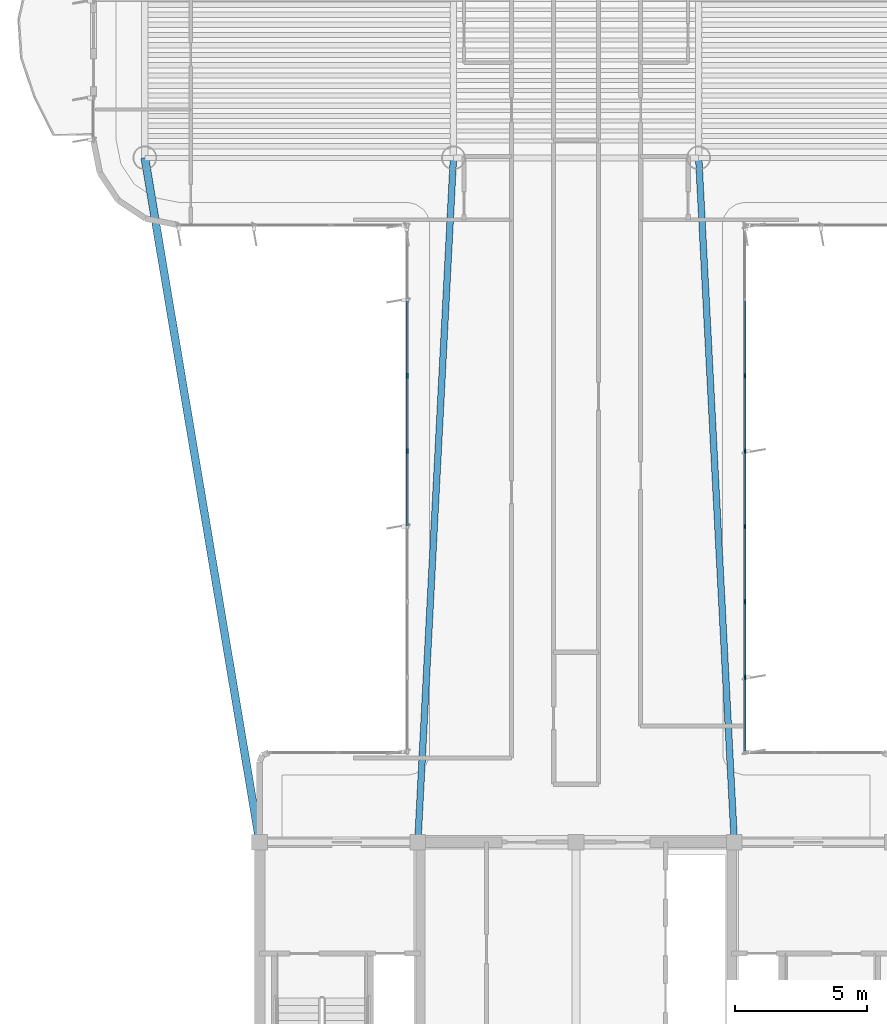
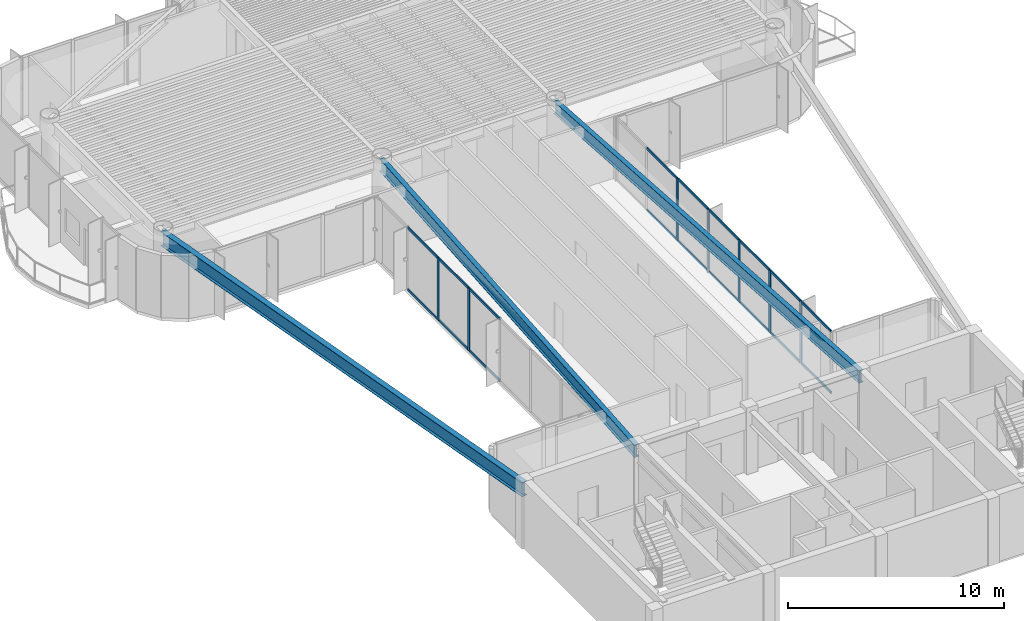
# One storey, part 3 of 16: 25 members, 3 beams, 2 elements without a shape of their own.
"""IFC4 building model written with IfcOpenShell, lengths in metres."""

from ifc_helpers import new_model, si_unit, direction, frame, origin, origin_2d, place, context, subcontext, project, spatial, rectangle, i_section, extrude, source, transform, mapped, material, layer, layer_set, material_profile, profile_set, type_object, element, aggregate, save


model = new_model("IFC4")

# Units and contexts
model_context = context("Model", 3, precision=1e-05, world=origin(), true_north=direction((0.0, 1.0)))
body_context = subcontext(model_context, "Body", "Model", "MODEL_VIEW")
ifc_project = project(units=[si_unit("LENGTHUNIT", "METRE"), si_unit("AREAUNIT", "SQUARE_METRE"), si_unit("VOLUMEUNIT", "CUBIC_METRE"), si_unit("PLANEANGLEUNIT", "RADIAN"), si_unit("MASSUNIT", "GRAM", prefix="KILO")], contexts=[model_context])

# Site, building, storey
site_placement = place(None, origin())
site = spatial("IfcSite", under=ifc_project, at=site_placement, CompositionType="ELEMENT")
building_placement = place(site_placement, origin())
building = spatial("IfcBuilding", under=site, at=building_placement, Name="Brelvock Crest Care Tower", CompositionType="ELEMENT")
storey_placement = place(building_placement, frame((0.0, 0.0, 226.800048828125)))
storey = spatial("IfcBuildingStorey", under=building, at=storey_placement, Name="L57", CompositionType="ELEMENT", Elevation=226.800048828125)

# Beams
ifc_material_1 = material(Name="Steel Grade 350", Category="steel")
ifc_material_profile_1 = material_profile(ifc_material_1, i_section(OverallWidth=0.25, OverallDepth=0.699951171875, WebThickness=0.011962890625, FlangeThickness=0.02001953125, at=origin_2d()), Name="700WB150")
ifc_profile_set_1 = profile_set([ifc_material_profile_1], Name="Steel Grade 350")
beam_type_1 = type_object("IfcBeamType", Name="BM-G4", PredefinedType="BEAM", material=ifc_profile_set_1)
shared_shape_1 = source(origin(), body_context, "Body", "SweptSolid", [
    extrude(i_section(OverallWidth=0.25, OverallDepth=0.699951171875, WebThickness=0.011962890625, FlangeThickness=0.02001953125, at=origin_2d()), origin(), (0.0, 0.0, 1.0), 25.985107421875),
])
for number, where, z_axis, x_axis, name in (
    (1, (30.0, 18.0, 3.179931640625), (0.051956711656, 0.998649337913, 0.0), (-0.998649337913, 0.051956711656, 0.0), "BM-THRW-L57"),
    (2, (42.0, 18.0, 3.179931640625), (-0.051956711656, 0.998649337913, 0.0), (-0.998649337913, -0.051956711656, 0.0), "BM-THRE-L57"),
):
    element("IfcBeam", number, at=place(storey_placement, frame(where, z_axis=z_axis, x_axis=x_axis)), inside=storey, type_object=beam_type_1, Name=name, PredefinedType="BEAM", context=body_context, shape_type="MappedRepresentation", body=[
        mapped(shared_shape_1, transform((0.0, 0.0, 0.0), x_axis=(1.0, 0.0, 0.0), y_axis=(0.0, 1.0, 0.0), z_axis=(0.0, 0.0, 1.0), scale=1.0)),
    ])
ifc_material_profile_2 = material_profile(ifc_material_1, i_section(OverallWidth=0.300048828125, OverallDepth=0.800048828125, WebThickness=0.013916015625, FlangeThickness=0.02197265625, at=origin_2d()), Name="800WB192")
ifc_profile_set_2 = profile_set([ifc_material_profile_2], Name="Steel Grade 350")
beam_type_2 = type_object("IfcBeamType", Name="BM-G5", PredefinedType="BEAM", material=ifc_profile_set_2)
shared_shape_2 = source(origin(), body_context, "Body", "SweptSolid", [
    extrude(i_section(OverallWidth=0.300048828125, OverallDepth=0.800048828125, WebThickness=0.013916015625, FlangeThickness=0.02197265625, at=origin_2d()), origin(), (0.0, 0.0, 1.0), 26.31201171875),
])
beam_placement = place(storey_placement, frame((24.0, 18.0, 3.1298828125), z_axis=(-0.165327282709, 0.986238758918, 0.0), x_axis=(-0.986238758918, -0.165327282709, 0.0)))
element("IfcBeam", 3, at=beam_placement, inside=storey, type_object=beam_type_2, Name="BM-THRO-W-L57", PredefinedType="BEAM", context=body_context, shape_type="MappedRepresentation", body=[
    mapped(shared_shape_2, transform((0.0, 0.0, 0.0), x_axis=(1.0, 0.0, 0.0), y_axis=(0.0, 1.0, 0.0), z_axis=(0.0, 0.0, 1.0), scale=1.0)),
])

# Curtain wall, members
ifc_material_2 = material(Name="Dark Glass Double Glazed Low-E", Category="glass")
ifc_layer = layer(ifc_material_2, 0.239990234375, Name="CWS-5")
ifc_layer_set = layer_set([ifc_layer], Name="Dark Glass Double Glazed Low-E")
curtain_wall_type = type_object("IfcCurtainWallType", Name="CWS-5", PredefinedType="NOTDEFINED", material=ifc_layer_set)
curtain_wall_1_placement = place(storey_placement, origin())
curtain_wall_1 = element("IfcCurtainWall", 4, at=curtain_wall_1_placement, inside=storey, type_object=curtain_wall_type, Name="L57 Curtain Wall E11", PredefinedType="NOTDEFINED")
ifc_material_3 = material(Name="Aluminium 6063-T6", Category="aluminium")
ifc_material_profile_3 = material_profile(ifc_material_3, rectangle(XDim=0.06005859375, YDim=0.179931640625, at=origin_2d()), Name="ALU60x180")
ifc_profile_set_3 = profile_set([ifc_material_profile_3], Name="Aluminium 6063-T6")
member_type_1 = type_object("IfcMemberType", Name="CWM-2", PredefinedType="MULLION", material=ifc_profile_set_3)
shared_shape_3 = source(origin(), body_context, "Body", "SweptSolid", [
    extrude(rectangle(XDim=0.06005859375, YDim=0.179931640625, at=origin_2d()), origin(), (0.0, 0.0, 1.0), 3.530029296875),
])
member_1_placement = place(storey_placement, frame((29.60009765625, 32.82861328125, 0.0), z_axis=(0.0, 0.0, 1.0), x_axis=(-1.0, 0.0, 0.0)))
member_1 = element("IfcMember", 5, at=member_1_placement, type_object=member_type_1, Name="CW-5 mullion 5", PredefinedType="MULLION", context=body_context, shape_type="MappedRepresentation", body=[
    mapped(shared_shape_3, transform((0.0, 0.0, 0.0), x_axis=(1.0, 0.0, 0.0), y_axis=(0.0, 1.0, 0.0), z_axis=(0.0, 0.0, 1.0), scale=1.0)),
])
member_2_placement = place(storey_placement, frame((29.60009765625, 35.685791015625, 0.0), z_axis=(0.0, 0.0, 1.0), x_axis=(-1.0, 0.0, 0.0)))
member_2 = element("IfcMember", 6, at=member_2_placement, type_object=member_type_1, Name="CW-5 mullion 6", PredefinedType="MULLION", context=body_context, shape_type="MappedRepresentation", body=[
    mapped(shared_shape_3, transform((0.0, 0.0, 0.0), x_axis=(1.0, 0.0, 0.0), y_axis=(0.0, 1.0, 0.0), z_axis=(0.0, 0.0, 1.0), scale=1.0)),
])

curtain_wall_2_placement = place(storey_placement, origin())
curtain_wall_2 = element("IfcCurtainWall", 7, at=curtain_wall_2_placement, inside=storey, type_object=curtain_wall_type, Name="L57 Curtain Wall E45", PredefinedType="NOTDEFINED")
member_3_placement = place(storey_placement, frame((42.39990234375, 35.685791015625, 0.0), z_axis=(0.0, 0.0, 1.0), x_axis=(1.0, 0.0, 0.0)))
member_3 = element("IfcMember", 8, at=member_3_placement, type_object=member_type_1, Name="CW-5 mullion 3", PredefinedType="MULLION", context=body_context, shape_type="MappedRepresentation", body=[
    mapped(shared_shape_3, transform((0.0, 0.0, 0.0), x_axis=(1.0, 0.0, 0.0), y_axis=(0.0, 1.0, 0.0), z_axis=(0.0, 0.0, 1.0), scale=1.0)),
])
member_4_placement = place(storey_placement, frame((42.39990234375, 32.82861328125, 0.0), z_axis=(0.0, 0.0, 1.0), x_axis=(1.0, 0.0, 0.0)))
member_4 = element("IfcMember", 9, at=member_4_placement, type_object=member_type_1, Name="CW-5 mullion 4", PredefinedType="MULLION", context=body_context, shape_type="MappedRepresentation", body=[
    mapped(shared_shape_3, transform((0.0, 0.0, 0.0), x_axis=(1.0, 0.0, 0.0), y_axis=(0.0, 1.0, 0.0), z_axis=(0.0, 0.0, 1.0), scale=1.0)),
])
member_5_placement = place(storey_placement, frame((42.39990234375, 29.971435546875, 0.0), z_axis=(0.0, 0.0, 1.0), x_axis=(1.0, 0.0, 0.0)))
member_5 = element("IfcMember", 10, at=member_5_placement, type_object=member_type_1, Name="CW-5 mullion 5", PredefinedType="MULLION", context=body_context, shape_type="MappedRepresentation", body=[
    mapped(shared_shape_3, transform((0.0, 0.0, 0.0), x_axis=(1.0, 0.0, 0.0), y_axis=(0.0, 1.0, 0.0), z_axis=(0.0, 0.0, 1.0), scale=1.0)),
])
member_6_placement = place(storey_placement, frame((42.39990234375, 27.1142578125, 0.0), z_axis=(0.0, 0.0, 1.0), x_axis=(1.0, 0.0, 0.0)))
member_6 = element("IfcMember", 11, at=member_6_placement, type_object=member_type_1, Name="CW-5 mullion 6", PredefinedType="MULLION", context=body_context, shape_type="MappedRepresentation", body=[
    mapped(shared_shape_3, transform((0.0, 0.0, 0.0), x_axis=(1.0, 0.0, 0.0), y_axis=(0.0, 1.0, 0.0), z_axis=(0.0, 0.0, 1.0), scale=1.0)),
])
member_7_placement = place(storey_placement, frame((42.39990234375, 24.257080078125, 0.0), z_axis=(0.0, 0.0, 1.0), x_axis=(1.0, 0.0, 0.0)))
member_7 = element("IfcMember", 12, at=member_7_placement, type_object=member_type_1, Name="CW-5 mullion 7", PredefinedType="MULLION", context=body_context, shape_type="MappedRepresentation", body=[
    mapped(shared_shape_3, transform((0.0, 0.0, 0.0), x_axis=(1.0, 0.0, 0.0), y_axis=(0.0, 1.0, 0.0), z_axis=(0.0, 0.0, 1.0), scale=1.0)),
])
ifc_material_profile_4 = material_profile(ifc_material_3, rectangle(XDim=0.06005859375, YDim=0.139892578125, at=origin_2d()), Name="ALU60x140")
ifc_profile_set_4 = profile_set([ifc_material_profile_4], Name="Aluminium 6063-T6")
member_type_2 = type_object("IfcMemberType", Name="CWT-2", PredefinedType="USERDEFINED", material=ifc_profile_set_4)
shared_shape_4 = source(origin(), body_context, "Body", "SweptSolid", [
    extrude(rectangle(XDim=0.06005859375, YDim=0.139892578125, at=origin_2d()), origin(), (0.0, 0.0, 1.0), 2.76708984375),
])
member_8_placement = place(storey_placement, frame((42.39990234375, 24.22705078125, 0.030029296875), z_axis=(0.0, -1.0, 0.0), x_axis=(1.0, 0.0, 0.0)))
member_8 = element("IfcMember", 13, at=member_8_placement, type_object=member_type_2, Name="CW-5 transom 7.1", ObjectType="TRANSOM", PredefinedType="USERDEFINED", context=body_context, shape_type="MappedRepresentation", body=[
    mapped(shared_shape_4, transform((0.0, 0.0, 0.0), x_axis=(1.0, 0.0, 0.0), y_axis=(0.0, 1.0, 0.0), z_axis=(0.0, 0.0, 1.0), scale=1.0)),
])
member_9_placement = place(storey_placement, frame((42.39990234375, 24.22705078125, 3.5), z_axis=(0.0, -1.0, 0.0), x_axis=(1.0, 0.0, 0.0)))
member_9 = element("IfcMember", 14, at=member_9_placement, type_object=member_type_2, Name="CW-5 transom 7.2", ObjectType="TRANSOM", PredefinedType="USERDEFINED", context=body_context, shape_type="MappedRepresentation", body=[
    mapped(shared_shape_4, transform((0.0, 0.0, 0.0), x_axis=(1.0, 0.0, 0.0), y_axis=(0.0, 1.0, 0.0), z_axis=(0.0, 0.0, 1.0), scale=1.0)),
])

# Member
shared_shape_5 = source(origin(), body_context, "Body", "SweptSolid", [
    extrude(rectangle(XDim=0.06005859375, YDim=0.139892578125, at=origin_2d()), origin(), (0.0, 0.0, 1.0), 2.797119140625),
])
member_10_placement = place(storey_placement, frame((29.60009765625, 30.00146484375, 0.030029296875), z_axis=(0.0, 1.0, 0.0), x_axis=(-1.0, 0.0, 0.0)))
member_10 = element("IfcMember", 15, at=member_10_placement, type_object=member_type_2, Name="CW-5 transom 4.1", ObjectType="TRANSOM", PredefinedType="USERDEFINED", context=body_context, shape_type="MappedRepresentation", body=[
    mapped(shared_shape_5, transform((0.0, 0.0, 0.0), x_axis=(1.0, 0.0, 0.0), y_axis=(0.0, 1.0, 0.0), z_axis=(0.0, 0.0, 1.0), scale=1.0)),
])

member_11_placement = place(storey_placement, frame((29.60009765625, 30.00146484375, 3.5), z_axis=(0.0, 1.0, 0.0), x_axis=(-1.0, 0.0, 0.0)))
member_11 = element("IfcMember", 16, at=member_11_placement, type_object=member_type_2, Name="CW-5 transom 4.2", ObjectType="TRANSOM", PredefinedType="USERDEFINED", context=body_context, shape_type="MappedRepresentation", body=[
    mapped(shared_shape_5, transform((0.0, 0.0, 0.0), x_axis=(1.0, 0.0, 0.0), y_axis=(0.0, 1.0, 0.0), z_axis=(0.0, 0.0, 1.0), scale=1.0)),
])

member_12_placement = place(storey_placement, frame((29.60009765625, 32.858642578125, 0.030029296875), z_axis=(0.0, 1.0, 0.0), x_axis=(-1.0, 0.0, 0.0)))
member_12 = element("IfcMember", 17, at=member_12_placement, type_object=member_type_2, Name="CW-5 transom 5.1", ObjectType="TRANSOM", PredefinedType="USERDEFINED", context=body_context, shape_type="MappedRepresentation", body=[
    mapped(shared_shape_5, transform((0.0, 0.0, 0.0), x_axis=(1.0, 0.0, 0.0), y_axis=(0.0, 1.0, 0.0), z_axis=(0.0, 0.0, 1.0), scale=1.0)),
])

member_13_placement = place(storey_placement, frame((29.60009765625, 32.858642578125, 3.5), z_axis=(0.0, 1.0, 0.0), x_axis=(-1.0, 0.0, 0.0)))
member_13 = element("IfcMember", 18, at=member_13_placement, type_object=member_type_2, Name="CW-5 transom 5.2", ObjectType="TRANSOM", PredefinedType="USERDEFINED", context=body_context, shape_type="MappedRepresentation", body=[
    mapped(shared_shape_5, transform((0.0, 0.0, 0.0), x_axis=(1.0, 0.0, 0.0), y_axis=(0.0, 1.0, 0.0), z_axis=(0.0, 0.0, 1.0), scale=1.0)),
])

member_14_placement = place(storey_placement, frame((29.60009765625, 35.7158203125, 0.030029296875), z_axis=(0.0, 1.0, 0.0), x_axis=(-1.0, 0.0, 0.0)))
member_14 = element("IfcMember", 19, at=member_14_placement, type_object=member_type_2, Name="CW-5 transom 6.1", ObjectType="TRANSOM", PredefinedType="USERDEFINED", context=body_context, shape_type="MappedRepresentation", body=[
    mapped(shared_shape_5, transform((0.0, 0.0, 0.0), x_axis=(1.0, 0.0, 0.0), y_axis=(0.0, 1.0, 0.0), z_axis=(0.0, 0.0, 1.0), scale=1.0)),
])

member_15_placement = place(storey_placement, frame((29.60009765625, 35.7158203125, 3.5), z_axis=(0.0, 1.0, 0.0), x_axis=(-1.0, 0.0, 0.0)))
member_15 = element("IfcMember", 20, at=member_15_placement, type_object=member_type_2, Name="CW-5 transom 6.2", ObjectType="TRANSOM", PredefinedType="USERDEFINED", context=body_context, shape_type="MappedRepresentation", body=[
    mapped(shared_shape_5, transform((0.0, 0.0, 0.0), x_axis=(1.0, 0.0, 0.0), y_axis=(0.0, 1.0, 0.0), z_axis=(0.0, 0.0, 1.0), scale=1.0)),
])

aggregate(curtain_wall_1, [member_1, member_2, member_10, member_11, member_12, member_13, member_14, member_15])

member_16_placement = place(storey_placement, frame((42.39990234375, 38.512939453125, 0.030029296875), z_axis=(0.0, -1.0, 0.0), x_axis=(1.0, 0.0, 0.0)))
member_16 = element("IfcMember", 21, at=member_16_placement, type_object=member_type_2, Name="CW-5 transom 2.1", ObjectType="TRANSOM", PredefinedType="USERDEFINED", context=body_context, shape_type="MappedRepresentation", body=[
    mapped(shared_shape_5, transform((0.0, 0.0, 0.0), x_axis=(1.0, 0.0, 0.0), y_axis=(0.0, 1.0, 0.0), z_axis=(0.0, 0.0, 1.0), scale=1.0)),
])

member_17_placement = place(storey_placement, frame((42.39990234375, 38.512939453125, 3.5), z_axis=(0.0, -1.0, 0.0), x_axis=(1.0, 0.0, 0.0)))
member_17 = element("IfcMember", 22, at=member_17_placement, type_object=member_type_2, Name="CW-5 transom 2.2", ObjectType="TRANSOM", PredefinedType="USERDEFINED", context=body_context, shape_type="MappedRepresentation", body=[
    mapped(shared_shape_5, transform((0.0, 0.0, 0.0), x_axis=(1.0, 0.0, 0.0), y_axis=(0.0, 1.0, 0.0), z_axis=(0.0, 0.0, 1.0), scale=1.0)),
])

member_18_placement = place(storey_placement, frame((42.39990234375, 35.65576171875, 0.030029296875), z_axis=(0.0, -1.0, 0.0), x_axis=(1.0, 0.0, 0.0)))
member_18 = element("IfcMember", 23, at=member_18_placement, type_object=member_type_2, Name="CW-5 transom 3.1", ObjectType="TRANSOM", PredefinedType="USERDEFINED", context=body_context, shape_type="MappedRepresentation", body=[
    mapped(shared_shape_5, transform((0.0, 0.0, 0.0), x_axis=(1.0, 0.0, 0.0), y_axis=(0.0, 1.0, 0.0), z_axis=(0.0, 0.0, 1.0), scale=1.0)),
])

member_19_placement = place(storey_placement, frame((42.39990234375, 35.65576171875, 3.5), z_axis=(0.0, -1.0, 0.0), x_axis=(1.0, 0.0, 0.0)))
member_19 = element("IfcMember", 24, at=member_19_placement, type_object=member_type_2, Name="CW-5 transom 3.2", ObjectType="TRANSOM", PredefinedType="USERDEFINED", context=body_context, shape_type="MappedRepresentation", body=[
    mapped(shared_shape_5, transform((0.0, 0.0, 0.0), x_axis=(1.0, 0.0, 0.0), y_axis=(0.0, 1.0, 0.0), z_axis=(0.0, 0.0, 1.0), scale=1.0)),
])

member_20_placement = place(storey_placement, frame((42.39990234375, 32.798583984375, 0.030029296875), z_axis=(0.0, -1.0, 0.0), x_axis=(1.0, 0.0, 0.0)))
member_20 = element("IfcMember", 25, at=member_20_placement, type_object=member_type_2, Name="CW-5 transom 4.1", ObjectType="TRANSOM", PredefinedType="USERDEFINED", context=body_context, shape_type="MappedRepresentation", body=[
    mapped(shared_shape_5, transform((0.0, 0.0, 0.0), x_axis=(1.0, 0.0, 0.0), y_axis=(0.0, 1.0, 0.0), z_axis=(0.0, 0.0, 1.0), scale=1.0)),
])

member_21_placement = place(storey_placement, frame((42.39990234375, 32.798583984375, 3.5), z_axis=(0.0, -1.0, 0.0), x_axis=(1.0, 0.0, 0.0)))
member_21 = element("IfcMember", 26, at=member_21_placement, type_object=member_type_2, Name="CW-5 transom 4.2", ObjectType="TRANSOM", PredefinedType="USERDEFINED", context=body_context, shape_type="MappedRepresentation", body=[
    mapped(shared_shape_5, transform((0.0, 0.0, 0.0), x_axis=(1.0, 0.0, 0.0), y_axis=(0.0, 1.0, 0.0), z_axis=(0.0, 0.0, 1.0), scale=1.0)),
])

member_22_placement = place(storey_placement, frame((42.39990234375, 29.94140625, 0.030029296875), z_axis=(0.0, -1.0, 0.0), x_axis=(1.0, 0.0, 0.0)))
member_22 = element("IfcMember", 27, at=member_22_placement, type_object=member_type_2, Name="CW-5 transom 5.1", ObjectType="TRANSOM", PredefinedType="USERDEFINED", context=body_context, shape_type="MappedRepresentation", body=[
    mapped(shared_shape_5, transform((0.0, 0.0, 0.0), x_axis=(1.0, 0.0, 0.0), y_axis=(0.0, 1.0, 0.0), z_axis=(0.0, 0.0, 1.0), scale=1.0)),
])

member_23_placement = place(storey_placement, frame((42.39990234375, 29.94140625, 3.5), z_axis=(0.0, -1.0, 0.0), x_axis=(1.0, 0.0, 0.0)))
member_23 = element("IfcMember", 28, at=member_23_placement, type_object=member_type_2, Name="CW-5 transom 5.2", ObjectType="TRANSOM", PredefinedType="USERDEFINED", context=body_context, shape_type="MappedRepresentation", body=[
    mapped(shared_shape_5, transform((0.0, 0.0, 0.0), x_axis=(1.0, 0.0, 0.0), y_axis=(0.0, 1.0, 0.0), z_axis=(0.0, 0.0, 1.0), scale=1.0)),
])

member_24_placement = place(storey_placement, frame((42.39990234375, 27.084228515625, 0.030029296875), z_axis=(0.0, -1.0, 0.0), x_axis=(1.0, 0.0, 0.0)))
member_24 = element("IfcMember", 29, at=member_24_placement, type_object=member_type_2, Name="CW-5 transom 6.1", ObjectType="TRANSOM", PredefinedType="USERDEFINED", context=body_context, shape_type="MappedRepresentation", body=[
    mapped(shared_shape_5, transform((0.0, 0.0, 0.0), x_axis=(1.0, 0.0, 0.0), y_axis=(0.0, 1.0, 0.0), z_axis=(0.0, 0.0, 1.0), scale=1.0)),
])

member_25_placement = place(storey_placement, frame((42.39990234375, 27.084228515625, 3.5), z_axis=(0.0, -1.0, 0.0), x_axis=(1.0, 0.0, 0.0)))
member_25 = element("IfcMember", 30, at=member_25_placement, type_object=member_type_2, Name="CW-5 transom 6.2", ObjectType="TRANSOM", PredefinedType="USERDEFINED", context=body_context, shape_type="MappedRepresentation", body=[
    mapped(shared_shape_5, transform((0.0, 0.0, 0.0), x_axis=(1.0, 0.0, 0.0), y_axis=(0.0, 1.0, 0.0), z_axis=(0.0, 0.0, 1.0), scale=1.0)),
])

aggregate(curtain_wall_2, [member_3, member_4, member_5, member_6, member_7, member_16, member_17, member_18, member_19, member_20, member_21, member_22, member_23, member_24, member_25, member_8, member_9])

save(model, "model.ifc")
